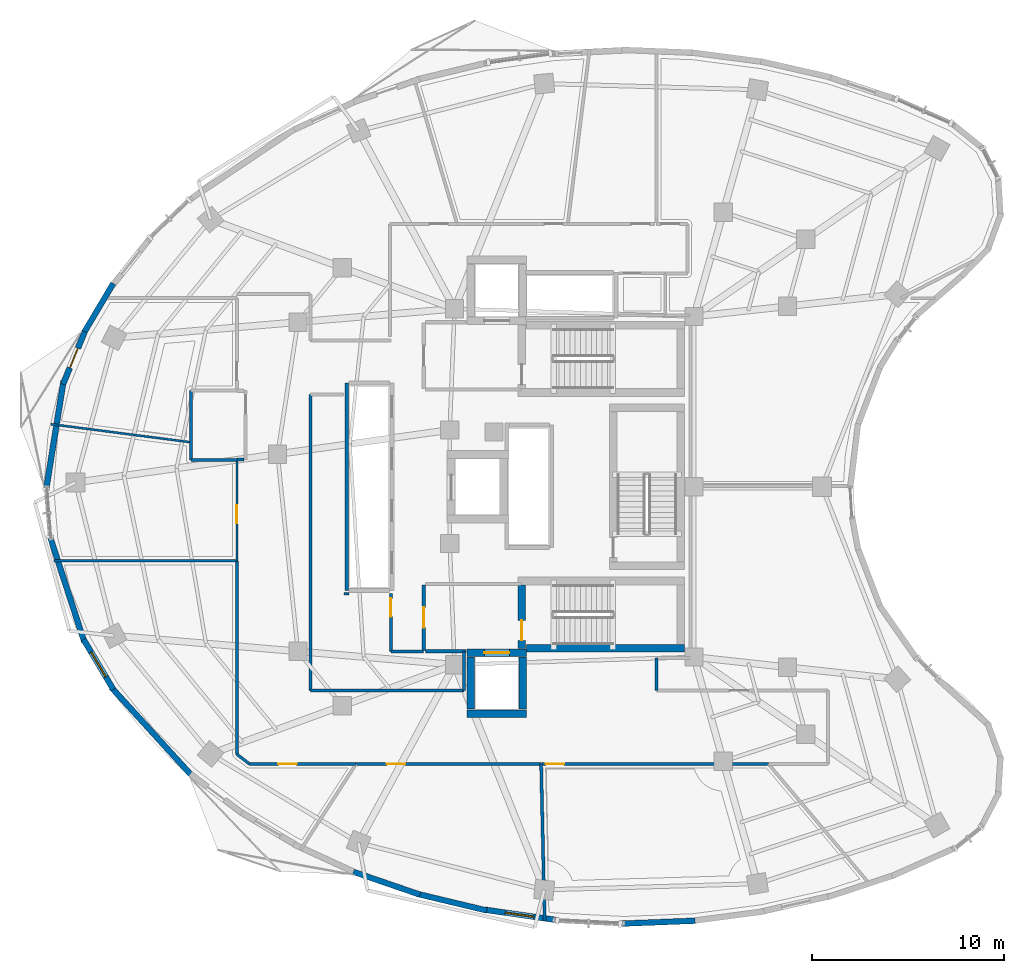
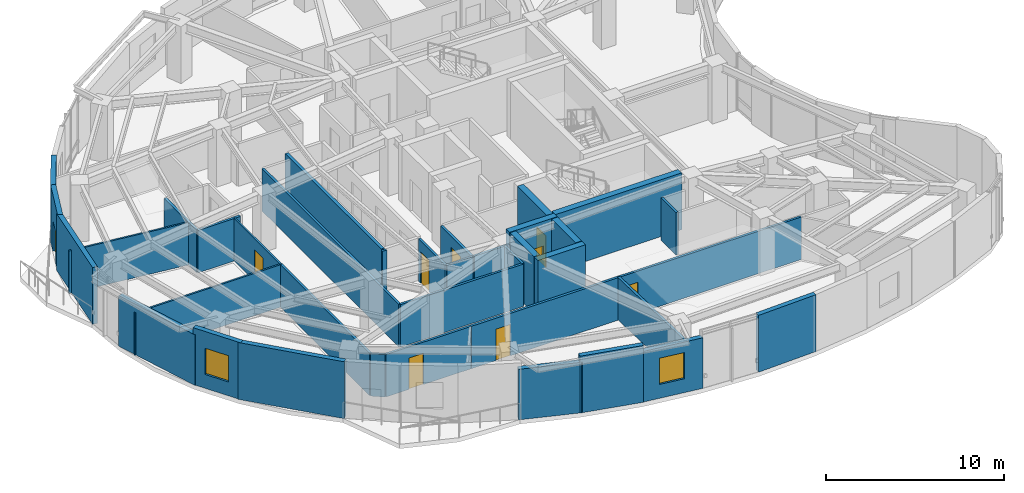
# One storey, part 8 of 15: 38 walls, 9 doors, 2 windows, 11 openings.
"""IFC4 building model written with IfcOpenShell, lengths in metres."""

from ifc_helpers import new_model, si_unit, direction, frame, frame_2d, origin, place, context, subcontext, project, spatial, rectangle, extrude, material, layer, layer_set, type_object, element, fill, save


model = new_model("IFC4")

# Units and contexts
model_context = context("Model", 3, precision=1e-05, world=origin(), true_north=direction((0.0, 1.0)))
body_context = subcontext(model_context, "Body", "Model", "MODEL_VIEW")
ifc_project = project(units=[si_unit("LENGTHUNIT", "METRE"), si_unit("AREAUNIT", "SQUARE_METRE"), si_unit("VOLUMEUNIT", "CUBIC_METRE"), si_unit("PLANEANGLEUNIT", "RADIAN"), si_unit("MASSUNIT", "GRAM", prefix="KILO")], contexts=[model_context])

# Site, building, storey
site_placement = place(None, origin())
site = spatial("IfcSite", under=ifc_project, at=site_placement, CompositionType="ELEMENT")
building_placement = place(site_placement, origin())
building = spatial("IfcBuilding", under=site, at=building_placement, Name="Korentha Bioscience Tower", CompositionType="ELEMENT")
storey_placement = place(building_placement, frame((0.0, 0.0, 222.60009765625)))
storey = spatial("IfcBuildingStorey", under=building, at=storey_placement, Name="L51", CompositionType="ELEMENT", Elevation=222.60009765625)

# Wall, opening, door
ifc_material_1 = material(Name="Double-Stud Acoustic Gypsum", Category="gypsum")
ifc_layer_1 = layer(ifc_material_1, 0.14990234375, Name="Double-Stud Acoustic Gypsum")
ifc_layer_set_1 = layer_set([ifc_layer_1], Name="Double-Stud Acoustic Gypsum (IW-L150)")
wall_type_1 = type_object("IfcWallType", Name="Acoustic Laboratory Partition Wall 150", PredefinedType="PARTITIONING", material=ifc_layer_set_1)
wall_1_placement = place(storey_placement, frame((21.7900390625, 21.43994140625, 0.0), z_axis=(0.0, 0.0, 1.0), x_axis=(0.0, -1.0, 0.0)))
wall_1 = element("IfcWall", 1, at=wall_1_placement, inside=storey, type_object=wall_type_1, Name="L51 Research Colloquium Seminar Room 02 Entrance Wall", PredefinedType="PARTITIONING", context=body_context, shape_type="SweptSolid", body=[
    extrude(rectangle(XDim=2.989990234375, YDim=0.14990234375, at=frame_2d((1.4951171875, 0.0))), origin(), (0.0, 0.0, 1.0), 2.909912109375),
])
opening_1_placement = place(wall_1_placement, frame((0.239990234375, 0.0, 0.0)))
opening_1 = element("IfcOpeningElement", 2, at=opening_1_placement, cuts=wall_1, Name="Opening ID-10R", PredefinedType="OPENING", context=body_context, shape_type="SweptSolid", body=[
    extrude(rectangle(XDim=0.949951171875, YDim=2.14990234375, at=frame_2d((0.47509765625, 1.074951171875))), frame((0.0, 0.08984375, 0.0), z_axis=(0.0, -1.0, 0.0), x_axis=(1.0, 0.0, 0.0)), (0.0, 0.0, 1.0), 0.1796875),
])
ifc_material_2 = material(Name="Phenolic Laminate Timber Core", Category="wood")
door_type_1 = type_object("IfcDoorType", Name="Laboratory Single Leaf Door 950x2150 Right", OperationType="SINGLE_SWING_RIGHT", PredefinedType="DOOR", material=ifc_material_2)
door_1_placement = place(opening_1_placement, origin())
door_1 = element("IfcDoor", 3, at=door_1_placement, inside=storey, type_object=door_type_1, Name="L51 Research Colloquium Seminar Room 02 Door", OperationType="SINGLE_SWING_RIGHT", OverallHeight=2.14990234375, OverallWidth=0.949951171875, PredefinedType="DOOR", context=body_context, shape_type="SweptSolid", body=[
    extrude(rectangle(XDim=0.949951171875, YDim=2.14990234375, at=frame_2d((0.47509765625, 1.074951171875))), frame((0.0, 0.02490234375, 0.0), z_axis=(0.0, -1.0, 0.0), x_axis=(1.0, 0.0, 0.0)), (0.0, 0.0, 1.0), 0.050048828125),
])
fill(opening_1, door_1)

wall_2_placement = place(storey_placement, frame((14.454345703125, 12.590087890625, 0.0), z_axis=(0.0, 0.0, 1.0), x_axis=(1.0, 0.0, 0.0)))
wall_2 = element("IfcWall", 4, at=wall_2_placement, inside=storey, type_object=wall_type_1, Name="L51 Staff Pantry Kitchenette 03 Entrance Wall", PredefinedType="PARTITIONING", context=body_context, shape_type="SweptSolid", body=[
    extrude(rectangle(XDim=5.526611328125, YDim=0.14990234375, at=frame_2d((2.76318359375, 0.0))), origin(), (0.0, 0.0, 1.0), 2.909912109375),
])
opening_2_placement = place(wall_2_placement, frame((1.49560546875, 0.0, 0.0)))
opening_2 = element("IfcOpeningElement", 5, at=opening_2_placement, cuts=wall_2, Name="Opening ID-10L", PredefinedType="OPENING", context=body_context, shape_type="SweptSolid", body=[
    extrude(rectangle(XDim=0.949951171875, YDim=2.14990234375, at=frame_2d((0.47509765625, 1.074951171875))), frame((0.0, 0.08984375, 0.0), z_axis=(0.0, -1.0, 0.0), x_axis=(1.0, 0.0, 0.0)), (0.0, 0.0, 1.0), 0.1796875),
])
door_type_2 = type_object("IfcDoorType", Name="Laboratory Single Leaf Door 950x2150 Left", OperationType="SINGLE_SWING_LEFT", PredefinedType="DOOR", material=ifc_material_2)
door_2_placement = place(opening_2_placement, origin())
door_2 = element("IfcDoor", 6, at=door_2_placement, inside=storey, type_object=door_type_2, Name="L51 Staff Pantry Kitchenette 03 Door", OperationType="SINGLE_SWING_LEFT", OverallHeight=2.14990234375, OverallWidth=0.949951171875, PredefinedType="DOOR", context=body_context, shape_type="SweptSolid", body=[
    extrude(rectangle(XDim=0.949951171875, YDim=2.14990234375, at=frame_2d((0.47509765625, 1.074951171875))), frame((0.0, 0.02490234375, 0.0), z_axis=(0.0, -1.0, 0.0), x_axis=(1.0, 0.0, 0.0)), (0.0, 0.0, 1.0), 0.050048828125),
])
fill(opening_2, door_2)

wall_3_placement = place(storey_placement, frame((29.611572265625, 12.590087890625, 0.0), z_axis=(0.0, 0.0, 1.0), x_axis=(1.0, 0.0, 0.0)))
wall_3 = element("IfcWall", 7, at=wall_3_placement, inside=storey, type_object=wall_type_1, Name="L51 Sterile Media Preparation Kitchen 05 Entrance Wall", PredefinedType="PARTITIONING", context=body_context, shape_type="SweptSolid", body=[
    extrude(rectangle(XDim=11.806396484375, YDim=0.14990234375, at=frame_2d((5.9033203125, 0.0))), origin(), (0.0, 0.0, 1.0), 2.909912109375),
])
opening_3_placement = place(wall_3_placement, frame((0.239990234375, 0.0, 0.0)))
opening_3 = element("IfcOpeningElement", 8, at=opening_3_placement, cuts=wall_3, Name="Opening ID-10L", PredefinedType="OPENING", context=body_context, shape_type="SweptSolid", body=[
    extrude(rectangle(XDim=0.949951171875, YDim=2.14990234375, at=frame_2d((0.47509765625, 1.074951171875))), frame((0.0, 0.08984375, 0.0), z_axis=(0.0, -1.0, 0.0), x_axis=(1.0, 0.0, 0.0)), (0.0, 0.0, 1.0), 0.1796875),
])
door_3_placement = place(opening_3_placement, origin())
door_3 = element("IfcDoor", 9, at=door_3_placement, inside=storey, type_object=door_type_2, Name="L51 Sterile Media Preparation Kitchen 05 Door", OperationType="SINGLE_SWING_LEFT", OverallHeight=2.14990234375, OverallWidth=0.949951171875, PredefinedType="DOOR", context=body_context, shape_type="SweptSolid", body=[
    extrude(rectangle(XDim=0.949951171875, YDim=2.14990234375, at=frame_2d((0.47509765625, 1.074951171875))), frame((0.0, 0.02490234375, 0.0), z_axis=(0.0, -1.0, 0.0), x_axis=(1.0, 0.0, 0.0)), (0.0, 0.0, 1.0), 0.050048828125),
])
fill(opening_3, door_3)

# Walls
wall_4_placement = place(storey_placement, frame((19.35009765625, 21.43994140625, 0.0), z_axis=(0.0, 0.0, 1.0), x_axis=(1.0, 0.0, 0.0)))
element("IfcWall", 10, at=wall_4_placement, inside=storey, type_object=wall_type_1, Name="L51 Interior Partition 023", PredefinedType="PARTITIONING", context=body_context, shape_type="SweptSolid", body=[
    extrude(rectangle(XDim=0.27001953125, YDim=0.14990234375, at=frame_2d((0.135009765625, 0.0))), origin(), (0.0, 0.0, 1.0), 2.909912109375),
])
wall_5_placement = place(storey_placement, frame((21.800048828125, 18.43994140625, 0.0), z_axis=(0.0, 0.0, 1.0), x_axis=(1.0, 0.0, 0.0)))
element("IfcWall", 11, at=wall_5_placement, inside=storey, type_object=wall_type_1, Name="L51 Interior Partition 024", PredefinedType="PARTITIONING", context=body_context, shape_type="SweptSolid", body=[
    extrude(rectangle(XDim=1.68994140625, YDim=0.14990234375, at=frame_2d((0.844970703125, 0.0))), origin(), (0.0, 0.0, 1.0), 2.909912109375),
])
wall_6_placement = place(storey_placement, frame((25.60009765625, 18.435791015625, 0.0), z_axis=(0.0, 0.0, 1.0), x_axis=(0.0, -1.0, 0.0)))
element("IfcWall", 12, at=wall_6_placement, inside=storey, type_object=wall_type_1, Name="L51 Interior Partition 025", PredefinedType="PARTITIONING", context=body_context, shape_type="SweptSolid", body=[
    extrude(rectangle(XDim=2.02587890625, YDim=0.14990234375, at=frame_2d((1.012939453125, 0.0))), origin(), (0.0, 0.0, 1.0), 2.909912109375),
])
wall_7_placement = place(storey_placement, frame((25.60009765625, 16.409912109375, 0.0), z_axis=(0.0, 0.0, 1.0), x_axis=(-1.0, 0.0, 0.0)))
element("IfcWall", 13, at=wall_7_placement, inside=storey, type_object=wall_type_1, Name="L51 Interior Partition 026", PredefinedType="PARTITIONING", context=body_context, shape_type="SweptSolid", body=[
    extrude(rectangle(XDim=7.989990234375, YDim=0.14990234375, at=frame_2d((3.9951171875, 0.0))), origin(), (0.0, 0.0, 1.0), 2.909912109375),
])
wall_8_placement = place(storey_placement, frame((17.610107421875, 16.409912109375, 0.0), z_axis=(0.0, 0.0, 1.0), x_axis=(0.0, 1.0, 0.0)))
element("IfcWall", 14, at=wall_8_placement, inside=storey, type_object=wall_type_1, Name="L51 Interior Partition 027", PredefinedType="PARTITIONING", context=body_context, shape_type="SweptSolid", body=[
    extrude(rectangle(XDim=15.380126953125, YDim=0.14990234375, at=frame_2d((7.68994140625, 0.0))), origin(), (0.0, 0.0, 1.0), 2.909912109375),
])
wall_9_placement = place(storey_placement, frame((13.7900390625, 23.14208984375, 0.0), z_axis=(0.0, 0.0, 1.0), x_axis=(0.0, -1.0, 0.0)))
element("IfcWall", 15, at=wall_9_placement, inside=storey, type_object=wall_type_1, Name="L51 Interior Partition 029", PredefinedType="PARTITIONING", context=body_context, shape_type="SweptSolid", body=[
    extrude(rectangle(XDim=10.0458984375, YDim=0.14990234375, at=frame_2d((5.02294921875, 0.0))), origin(), (0.0, 0.0, 1.0), 2.909912109375),
])
wall_10_placement = place(storey_placement, frame((13.7939453125, 13.088134765625, 0.0), z_axis=(0.0, 0.0, 1.0), x_axis=(0.796957719098, -0.604035093326, 0.0)))
element("IfcWall", 16, at=wall_10_placement, inside=storey, type_object=wall_type_1, Name="L51 Interior Partition 030", PredefinedType="PARTITIONING", context=body_context, shape_type="SweptSolid", body=[
    extrude(rectangle(XDim=0.8212890625, YDim=0.14990234375, at=frame_2d((0.41064453125, 0.0))), origin(), (0.0, 0.0, 1.0), 2.909912109375),
])
wall_11_placement = place(storey_placement, frame((35.60205078125, 16.409912109375, 0.0), z_axis=(0.0, 0.0, 1.0), x_axis=(0.0, 1.0, 0.0)))
element("IfcWall", 17, at=wall_11_placement, inside=storey, type_object=wall_type_1, Name="L51 Interior Partition 039", PredefinedType="PARTITIONING", context=body_context, shape_type="SweptSolid", body=[
    extrude(rectangle(XDim=1.68017578125, YDim=0.14990234375, at=frame_2d((0.840087890625, 0.0))), origin(), (0.0, 0.0, 1.0), 2.909912109375),
])

# Wall, opening, door
ifc_material_3 = material(Name="Fire-Rated Framed Glass", Category="glass")
ifc_layer_2 = layer(ifc_material_3, 0.110107421875, Name="Fire-Rated Framed Glass")
ifc_layer_set_2 = layer_set([ifc_layer_2], Name="Fire-Rated Framed Glass (IW-G110)")
wall_type_2 = type_object("IfcWallType", Name="Demountable Glazed Office Partition 110", PredefinedType="MOVABLE", material=ifc_layer_set_2)
wall_12_placement = place(storey_placement, frame((13.7900390625, 28.389892578125, 0.0), z_axis=(0.0, 0.0, 1.0), x_axis=(0.0, -1.0, 0.0)))
wall_12 = element("IfcWall", 18, at=wall_12_placement, inside=storey, type_object=wall_type_2, Name="L51 Principal Investigator Office 01 Entrance Wall", PredefinedType="MOVABLE", context=body_context, shape_type="SweptSolid", body=[
    extrude(rectangle(XDim=5.23779296875, YDim=0.110107421875, at=frame_2d((2.618896484375, 0.0))), origin(), (0.0, 0.0, 1.0), 2.909912109375),
])
opening_4_placement = place(wall_12_placement, frame((2.35009765625, 0.0, 0.0)))
opening_4 = element("IfcOpeningElement", 19, at=opening_4_placement, cuts=wall_12, Name="Opening ID-10L", PredefinedType="OPENING", context=body_context, shape_type="SweptSolid", body=[
    extrude(rectangle(XDim=0.949951171875, YDim=2.14990234375, at=frame_2d((0.47509765625, 1.074951171875))), frame((0.0, 0.06982421875, 0.0), z_axis=(0.0, -1.0, 0.0), x_axis=(1.0, 0.0, 0.0)), (0.0, 0.0, 1.0), 0.139892578125),
])
door_4_placement = place(opening_4_placement, origin())
door_4 = element("IfcDoor", 20, at=door_4_placement, inside=storey, type_object=door_type_2, Name="L51 Principal Investigator Office 01 Door", OperationType="SINGLE_SWING_LEFT", OverallHeight=2.14990234375, OverallWidth=0.949951171875, PredefinedType="DOOR", context=body_context, shape_type="SweptSolid", body=[
    extrude(rectangle(XDim=0.949951171875, YDim=2.14990234375, at=frame_2d((0.47509765625, 1.074951171875))), frame((0.0, 0.02490234375, 0.0), z_axis=(0.0, -1.0, 0.0), x_axis=(1.0, 0.0, 0.0)), (0.0, 0.0, 1.0), 0.050048828125),
])
fill(opening_4, door_4)

# Walls
wall_13_placement = place(storey_placement, frame((4.122802734375, 30.252685546875, 0.0), z_axis=(0.0, 0.0, 1.0), x_axis=(0.991734568624, -0.128306451111, 0.0)))
element("IfcWall", 21, at=wall_13_placement, inside=storey, type_object=wall_type_2, Name="L51 Interior Partition 021", PredefinedType="MOVABLE", context=body_context, shape_type="SweptSolid", body=[
    extrude(rectangle(XDim=7.32763671875, YDim=0.110107421875, at=frame_2d((3.663818359375, 0.0))), origin(), (0.0, 0.0, 1.0), 2.909912109375),
])
wall_14_placement = place(storey_placement, frame((13.7900390625, 23.152099609375, 0.0), z_axis=(0.0, 0.0, 1.0), x_axis=(-1.0, 0.0, 0.0)))
element("IfcWall", 22, at=wall_14_placement, inside=storey, type_object=wall_type_2, Name="L51 Interior Partition 022", PredefinedType="MOVABLE", context=body_context, shape_type="SweptSolid", body=[
    extrude(rectangle(XDim=9.516845703125, YDim=0.110107421875, at=frame_2d((4.75830078125, 0.0))), origin(), (0.0, 0.0, 1.0), 2.909912109375),
])

# Wall, opening, door
ifc_material_4 = material(Name="Gypsum-Clad Steel Stud", Category="steel")
ifc_layer_3 = layer(ifc_material_4, 0.159912109375, Name="Gypsum-Clad Steel Stud")
ifc_layer_set_3 = layer_set([ifc_layer_3], Name="Gypsum-Clad Steel Stud (IW-C160)")
wall_type_3 = type_object("IfcWallType", Name="Fire-Rated Corridor Partition Wall 160", PredefinedType="PARTITIONING", material=ifc_layer_set_3)
wall_15_placement = place(storey_placement, frame((23.5, 18.5, 0.0), z_axis=(0.0, 0.0, 1.0), x_axis=(0.0, 1.0, 0.0)))
wall_15 = element("IfcWall", 23, at=wall_15_placement, inside=storey, type_object=wall_type_3, Name="L51 FFLS-CW Rated Enclosure Wall", PredefinedType="PARTITIONING", context=body_context, shape_type="SweptSolid", body=[
    extrude(rectangle(XDim=3.39990234375, YDim=0.159912109375, at=frame_2d((1.699951171875, 0.0))), origin(), (0.0, 0.0, 1.0), 2.909912109375),
])
opening_5_placement = place(wall_15_placement, frame((1.175048828125, 0.0, 0.0)))
opening_5 = element("IfcOpeningElement", 24, at=opening_5_placement, cuts=wall_15, Name="Opening FD-90L", PredefinedType="OPENING", context=body_context, shape_type="SweptSolid", body=[
    extrude(rectangle(XDim=1.050048828125, YDim=2.14990234375, at=frame_2d((0.52490234375, 1.074951171875))), frame((0.0, 0.0947265625, 0.0), z_axis=(0.0, -1.0, 0.0), x_axis=(1.0, 0.0, 0.0)), (0.0, 0.0, 1.0), 0.189697265625),
])
ifc_material_5 = material(Name="Powder-Coated Fire-Rated Steel", Category="steel")
door_type_3 = type_object("IfcDoorType", Name="Stairwell Fire Exit Door 1050x2150 Left", OperationType="SINGLE_SWING_LEFT", PredefinedType="DOOR", material=ifc_material_5)
door_5_placement = place(opening_5_placement, origin())
door_5 = element("IfcDoor", 25, at=door_5_placement, inside=storey, type_object=door_type_3, Name="L51 South Firefighting Lobby Door", OperationType="SINGLE_SWING_LEFT", OverallHeight=2.14990234375, OverallWidth=1.050048828125, PredefinedType="DOOR", context=body_context, shape_type="SweptSolid", body=[
    extrude(rectangle(XDim=1.050048828125, YDim=2.14990234375, at=frame_2d((0.52490234375, 1.074951171875))), frame((0.0, 0.02490234375, 0.0), z_axis=(0.0, -1.0, 0.0), x_axis=(1.0, 0.0, 0.0)), (0.0, 0.0, 1.0), 0.050048828125),
])
fill(opening_5, door_5)

# Wall
wall_16_placement = place(storey_placement, frame((23.580078125, 18.449951171875, 0.0), z_axis=(0.0, 0.0, 1.0), x_axis=(1.0, 0.0, 0.0)))
element("IfcWall", 26, at=wall_16_placement, inside=storey, type_object=wall_type_3, Name="L51 Firefighting Lobby Return Wall FFLS-S", PredefinedType="PARTITIONING", context=body_context, shape_type="SweptSolid", body=[
    extrude(rectangle(XDim=2.119873046875, YDim=0.159912109375, at=frame_2d((1.06005859375, 0.0))), origin(), (0.0, 0.0, 1.0), 2.909912109375),
])

# Wall, opening, door
wall_17_placement = place(storey_placement, frame((19.990966796875, 12.590087890625, 0.0), z_axis=(0.0, 0.0, 1.0), x_axis=(1.0, 0.0, 0.0)))
wall_17 = element("IfcWall", 27, at=wall_17_placement, inside=storey, type_object=wall_type_3, Name="L51 Biospecimen Archive Store 04 Entrance Wall", PredefinedType="PARTITIONING", context=body_context, shape_type="SweptSolid", body=[
    extrude(rectangle(XDim=9.610595703125, YDim=0.159912109375, at=frame_2d((4.80517578125, 0.0))), origin(), (0.0, 0.0, 1.0), 2.909912109375),
])
opening_6_placement = place(wall_17_placement, frame((1.591064453125, 0.0, 0.0)))
opening_6 = element("IfcOpeningElement", 28, at=opening_6_placement, cuts=wall_17, Name="Opening ID-10R", PredefinedType="OPENING", context=body_context, shape_type="SweptSolid", body=[
    extrude(rectangle(XDim=0.949951171875, YDim=2.14990234375, at=frame_2d((0.47509765625, 1.074951171875))), frame((0.0, 0.0947265625, 0.0), z_axis=(0.0, -1.0, 0.0), x_axis=(1.0, 0.0, 0.0)), (0.0, 0.0, 1.0), 0.189697265625),
])
door_6_placement = place(opening_6_placement, origin())
door_6 = element("IfcDoor", 29, at=door_6_placement, inside=storey, type_object=door_type_1, Name="L51 Biospecimen Archive Store 04 Door", OperationType="SINGLE_SWING_RIGHT", OverallHeight=2.14990234375, OverallWidth=0.949951171875, PredefinedType="DOOR", context=body_context, shape_type="SweptSolid", body=[
    extrude(rectangle(XDim=0.949951171875, YDim=2.14990234375, at=frame_2d((0.47509765625, 1.074951171875))), frame((0.0, 0.02490234375, 0.0), z_axis=(0.0, -1.0, 0.0), x_axis=(1.0, 0.0, 0.0)), (0.0, 0.0, 1.0), 0.050048828125),
])
fill(opening_6, door_6)

# Walls
wall_18_placement = place(storey_placement, frame((14.156982421875, 28.409912109375, 0.0), z_axis=(0.0, 0.0, 1.0), x_axis=(-1.0, 0.0, 0.0)))
element("IfcWall", 30, at=wall_18_placement, inside=storey, type_object=wall_type_3, Name="L51 Interior Partition 017", PredefinedType="PARTITIONING", context=body_context, shape_type="SweptSolid", body=[
    extrude(rectangle(XDim=0.35693359375, YDim=0.159912109375, at=frame_2d((0.178466796875, 0.0))), origin(), (0.0, 0.0, 1.0), 2.909912109375),
])
wall_19_placement = place(storey_placement, frame((13.7900390625, 28.39990234375, 0.0), z_axis=(0.0, 0.0, 1.0), x_axis=(-1.0, 0.0, 0.0)))
element("IfcWall", 31, at=wall_19_placement, inside=storey, type_object=wall_type_3, Name="L51 Interior Partition 018", PredefinedType="PARTITIONING", context=body_context, shape_type="SweptSolid", body=[
    extrude(rectangle(XDim=2.39013671875, YDim=0.159912109375, at=frame_2d((1.195068359375, 0.0))), origin(), (0.0, 0.0, 1.0), 2.909912109375),
])
wall_20_placement = place(storey_placement, frame((11.39990234375, 28.39990234375, 0.0), z_axis=(0.0, 0.0, 1.0), x_axis=(0.0, 1.0, 0.0)))
element("IfcWall", 32, at=wall_20_placement, inside=storey, type_object=wall_type_3, Name="L51 Interior Partition 019", PredefinedType="PARTITIONING", context=body_context, shape_type="SweptSolid", body=[
    extrude(rectangle(XDim=3.60009765625, YDim=0.159912109375, at=frame_2d((1.800048828125, 0.0))), origin(), (0.0, 0.0, 1.0), 2.909912109375),
])
wall_21_placement = place(storey_placement, frame((29.6015625, 12.590087890625, 0.0), z_axis=(0.0, 0.0, 1.0), x_axis=(0.02244070068, -0.999748175769, 0.0)))
element("IfcWall", 33, at=wall_21_placement, inside=storey, type_object=wall_type_3, Name="L51 Interior Partition 032", PredefinedType="PARTITIONING", context=body_context, shape_type="SweptSolid", body=[
    extrude(rectangle(XDim=8.159423828125, YDim=0.159912109375, at=frame_2d((4.07958984375, 0.0))), origin(), (0.0, 0.0, 1.0), 2.909912109375),
])

# Wall, opening, door
ifc_material_6 = material(Name="Honed Limestone Precast Concrete C40", Category="masonry")
ifc_layer_4 = layer(ifc_material_6, 0.300048828125, Name="Honed Limestone Precast Concrete C40")
ifc_layer_set_4 = layer_set([ifc_layer_4], Name="Honed Limestone Precast Concrete C40 (EW-ST300)")
wall_type_4 = type_object("IfcWallType", Name="Honed Limestone Cavity Spandrel Wall 300", PredefinedType="STANDARD", material=ifc_layer_set_4)
wall_22_placement = place(storey_placement, frame((5.882080078125, 35.05712890625, 0.0), z_axis=(0.0, 0.0, 1.0), x_axis=(-0.381011504275, -0.924570296738, 0.0)))
wall_22 = element("IfcWall", 34, at=wall_22_placement, inside=storey, type_object=wall_type_4, Name="L51 Balcony Threshold Wall 02", PredefinedType="STANDARD", context=body_context, shape_type="SweptSolid", body=[
    extrude(rectangle(XDim=2.955810546875, YDim=0.300048828125, at=frame_2d((1.47802734375, 0.0))), origin(), (0.0, 0.0, 1.0), 3.89990234375),
])
opening_7_placement = place(wall_22_placement, frame((0.927978515625, 0.0, 0.0)))
opening_7 = element("IfcOpeningElement", 35, at=opening_7_placement, cuts=wall_22, Name="Opening BD-11R", PredefinedType="OPENING", context=body_context, shape_type="SweptSolid", body=[
    extrude(rectangle(XDim=1.10009765625, YDim=2.14990234375, at=frame_2d((0.550048828125, 1.074951171875))), frame((0.0, 0.1650390625, 0.0), z_axis=(0.0, -1.0, 0.0), x_axis=(1.0, 0.0, 0.0)), (0.0, 0.0, 1.0), 0.329833984375),
])
ifc_material_7 = material(Name="Thermally Broken Glazed Aluminium", Category="aluminium")
door_type_4 = type_object("IfcDoorType", Name="Balcony Terrace Glazed Door 1100x2150 Right", OperationType="SINGLE_SWING_RIGHT", PredefinedType="DOOR", material=ifc_material_7)
door_7_placement = place(opening_7_placement, origin())
door_7 = element("IfcDoor", 36, at=door_7_placement, inside=storey, type_object=door_type_4, Name="L51 Balcony Access Door 02", OperationType="SINGLE_SWING_RIGHT", OverallHeight=2.14990234375, OverallWidth=1.10009765625, PredefinedType="DOOR", context=body_context, shape_type="SweptSolid", body=[
    extrude(rectangle(XDim=1.10009765625, YDim=2.14990234375, at=frame_2d((0.550048828125, 1.074951171875))), frame((0.0, 0.02490234375, 0.0), z_axis=(0.0, -1.0, 0.0), x_axis=(1.0, 0.0, 0.0)), (0.0, 0.0, 1.0), 0.050048828125),
])
fill(opening_7, door_7)

# Wall, opening, window
wall_23_placement = place(storey_placement, frame((5.818115234375, 19.07080078125, 0.0), z_axis=(0.0, 0.0, 1.0), x_axis=(0.511263271049, -0.859424148879, 0.0)))
wall_23 = element("IfcWall", 37, at=wall_23_placement, inside=storey, type_object=wall_type_4, Name="L51 Honed Limestone Spandrel Wall 22", PredefinedType="STANDARD", context=body_context, shape_type="SweptSolid", body=[
    extrude(rectangle(XDim=3.03564453125, YDim=0.300048828125, at=frame_2d((1.517822265625, 0.0))), origin(), (0.0, 0.0, 1.0), 3.89990234375),
])
opening_8_placement = place(wall_23_placement, frame((0.767822265625, 0.0, 0.949951171875)))
opening_8 = element("IfcOpeningElement", 38, at=opening_8_placement, cuts=wall_23, Name="Opening WN-02", PredefinedType="OPENING", context=body_context, shape_type="SweptSolid", body=[
    extrude(rectangle(XDim=1.5, YDim=1.800048828125, at=frame_2d((0.75, 0.89990234375))), frame((0.0, 0.1650390625, 0.0), z_axis=(0.0, -1.0, 0.0), x_axis=(1.0, 0.0, 0.0)), (0.0, 0.0, 1.0), 0.329833984375),
])
ifc_material_8 = material(Name="Thermally Broken Aluminium Triple Glazing", Category="aluminium")
window_type = type_object("IfcWindowType", Name="Acoustic Operable Office Window 1500x1800", PartitioningType="DOUBLE_PANEL_VERTICAL", PredefinedType="WINDOW", material=ifc_material_8)
window_1_placement = place(opening_8_placement, origin())
window_1 = element("IfcWindow", 39, at=window_1_placement, inside=storey, type_object=window_type, Name="L51 Facade Window 22", OverallHeight=1.800048828125, OverallWidth=1.5, PartitioningType="DOUBLE_PANEL_VERTICAL", PredefinedType="WINDOW", context=body_context, shape_type="SweptSolid", body=[
    extrude(rectangle(XDim=1.5, YDim=1.800048828125, at=frame_2d((0.75, 0.89990234375))), frame((0.0, 0.030029296875, 0.0), z_axis=(0.0, -1.0, 0.0), x_axis=(1.0, 0.0, 0.0)), (0.0, 0.0, 1.0), 0.06005859375),
])
fill(opening_8, window_1)

wall_24_placement = place(storey_placement, frame((26.628173828125, 5.022216796875, 0.0), z_axis=(0.0, 0.0, 1.0), x_axis=(0.989905072127, -0.14173195891, 0.0)))
wall_24 = element("IfcWall", 40, at=wall_24_placement, inside=storey, type_object=wall_type_4, Name="L51 Honed Limestone Spandrel Wall 30", PredefinedType="STANDARD", context=body_context, shape_type="SweptSolid", body=[
    extrude(rectangle(XDim=3.741455078125, YDim=0.300048828125, at=frame_2d((1.87060546875, 0.0))), origin(), (0.0, 0.0, 1.0), 3.469970703125),
])
opening_9_placement = place(wall_24_placement, frame((1.12060546875, 0.0, 0.949951171875)))
opening_9 = element("IfcOpeningElement", 41, at=opening_9_placement, cuts=wall_24, Name="Opening WN-02", PredefinedType="OPENING", context=body_context, shape_type="SweptSolid", body=[
    extrude(rectangle(XDim=1.5, YDim=1.800048828125, at=frame_2d((0.75, 0.89990234375))), frame((0.0, 0.1650390625, 0.0), z_axis=(0.0, -1.0, 0.0), x_axis=(1.0, 0.0, 0.0)), (0.0, 0.0, 1.0), 0.329833984375),
])
window_2_placement = place(opening_9_placement, origin())
window_2 = element("IfcWindow", 42, at=window_2_placement, inside=storey, type_object=window_type, Name="L51 Facade Window 30", OverallHeight=1.800048828125, OverallWidth=1.5, PartitioningType="DOUBLE_PANEL_VERTICAL", PredefinedType="WINDOW", context=body_context, shape_type="SweptSolid", body=[
    extrude(rectangle(XDim=1.5, YDim=1.800048828125, at=frame_2d((0.75, 0.89990234375))), frame((0.0, 0.030029296875, 0.0), z_axis=(0.0, -1.0, 0.0), x_axis=(1.0, 0.0, 0.0)), (0.0, 0.0, 1.0), 0.06005859375),
])
fill(opening_9, window_2)

# Walls
wall_25_placement = place(storey_placement, frame((7.36328125, 37.5654296875, 0.0), z_axis=(0.0, 0.0, 1.0), x_axis=(-0.511305212285, -0.85939919705, 0.0)))
element("IfcWall", 43, at=wall_25_placement, inside=storey, type_object=wall_type_4, Name="L51 Limestone Perimeter Closure Wall 15", PredefinedType="STANDARD", context=body_context, shape_type="SweptSolid", body=[
    extrude(rectangle(XDim=3.075439453125, YDim=0.300048828125, at=frame_2d((1.53759765625, 0.0))), origin(), (0.0, 0.0, 1.0), 3.89990234375),
])
wall_26_placement = place(storey_placement, frame((4.78173828125, 32.497314453125, 0.0), z_axis=(0.0, 0.0, 1.0), x_axis=(-0.158573166105, -0.987347229191, 0.0)))
element("IfcWall", 44, at=wall_26_placement, inside=storey, type_object=wall_type_4, Name="L51 Limestone Perimeter Closure Wall 17", PredefinedType="STANDARD", context=body_context, shape_type="SweptSolid", body=[
    extrude(rectangle(XDim=5.67041015625, YDim=0.300048828125, at=frame_2d((2.835205078125, 0.0))), origin(), (0.0, 0.0, 1.0), 3.89990234375),
])
wall_27_placement = place(storey_placement, frame((4.08447265625, 24.37939453125, 0.0), z_axis=(0.0, 0.0, 1.0), x_axis=(0.309937285623, -0.95075700312, 0.0)))
element("IfcWall", 45, at=wall_27_placement, inside=storey, type_object=wall_type_4, Name="L51 Limestone Perimeter Closure Wall 20", PredefinedType="STANDARD", context=body_context, shape_type="SweptSolid", body=[
    extrude(rectangle(XDim=5.758056640625, YDim=0.300048828125, at=frame_2d((2.87890625, 0.0))), origin(), (0.0, 0.0, 1.0), 3.469970703125),
])
wall_28_placement = place(storey_placement, frame((7.251708984375, 16.585205078125, 0.0), z_axis=(0.0, 0.0, 1.0), x_axis=(0.673735114185, -0.73897293314, 0.0)))
element("IfcWall", 46, at=wall_28_placement, inside=storey, type_object=wall_type_4, Name="L51 Limestone Perimeter Closure Wall 23", PredefinedType="STANDARD", context=body_context, shape_type="SweptSolid", body=[
    extrude(rectangle(XDim=6.27587890625, YDim=0.300048828125, at=frame_2d((3.137939453125, 0.0))), origin(), (0.0, 0.0, 1.0), 3.89990234375),
])
wall_29_placement = place(storey_placement, frame((19.83837890625, 6.987548828125, 0.0), z_axis=(0.0, 0.0, 1.0), x_axis=(0.945722383555, -0.32497565023, 0.0)))
element("IfcWall", 47, at=wall_29_placement, inside=storey, type_object=wall_type_4, Name="L51 Limestone Perimeter Closure Wall 28", PredefinedType="STANDARD", context=body_context, shape_type="SweptSolid", body=[
    extrude(rectangle(XDim=3.669921875, YDim=0.300048828125, at=frame_2d((1.8349609375, 0.0))), origin(), (0.0, 0.0, 1.0), 3.469970703125),
])
wall_30_placement = place(storey_placement, frame((23.142578125, 5.84326171875, 0.0), z_axis=(0.0, 0.0, 1.0), x_axis=(0.972475629939, -0.233004611918, 0.0)))
element("IfcWall", 48, at=wall_30_placement, inside=storey, type_object=wall_type_4, Name="L51 Limestone Perimeter Closure Wall 29", PredefinedType="STANDARD", context=body_context, shape_type="SweptSolid", body=[
    extrude(rectangle(XDim=3.7353515625, YDim=0.300048828125, at=frame_2d((1.86767578125, 0.0))), origin(), (0.0, 0.0, 1.0), 3.89990234375),
])
wall_31_placement = place(storey_placement, frame((33.804931640625, 4.29248046875, 0.0), z_axis=(0.0, 0.0, 1.0), x_axis=(0.999221923177, 0.039440439173, 0.0)))
element("IfcWall", 49, at=wall_31_placement, inside=storey, type_object=wall_type_4, Name="L51 Limestone Perimeter Closure Wall 32", PredefinedType="STANDARD", context=body_context, shape_type="SweptSolid", body=[
    extrude(rectangle(XDim=3.806884765625, YDim=0.300048828125, at=frame_2d((1.9033203125, 0.0))), origin(), (0.0, 0.0, 1.0), 3.89990234375),
])
ifc_material_9 = material(Name="Autoclaved Aerated Concrete Block C25", Category="concrete")
ifc_layer_5 = layer(ifc_material_9, 0.199951171875, Name="Autoclaved Aerated Concrete Block C25")
ifc_layer_set_5 = layer_set([ifc_layer_5], Name="Autoclaved Aerated Concrete Block C25 (IW-S200)")
wall_type_5 = type_object("IfcWallType", Name="Lift and Riser Shaft Enclosure Wall 200", PredefinedType="PARTITIONING", material=ifc_layer_set_5)
wall_32_placement = place(storey_placement, frame((19.5, 21.60009765625, 0.0), z_axis=(0.0, 0.0, 1.0), x_axis=(0.0, 1.0, 0.0)))
element("IfcWall", 50, at=wall_32_placement, inside=storey, type_object=wall_type_5, Name="L51 Lift Bank MID Shaft Wall -X", PredefinedType="PARTITIONING", context=body_context, shape_type="SweptSolid", body=[
    extrude(rectangle(XDim=10.7998046875, YDim=0.199951171875, at=frame_2d((5.39990234375, 0.0))), origin(), (0.0, 0.0, 1.0), 2.909912109375),
])
ifc_material_10 = material(Name="Concrete C65", Category="concrete")
ifc_layer_6 = layer(ifc_material_10, 0.39990234375, Name="Concrete C65")
ifc_layer_set_6 = layer_set([ifc_layer_6], Name="Concrete C65 (CW-C65)")
wall_type_6 = type_object("IfcWallType", Name="Mid-Rise Core Shear Wall 400", PredefinedType="SHEAR", material=ifc_layer_set_6)
wall_33_placement = place(storey_placement, frame((28.85205078125, 18.60009765625, 0.0), z_axis=(0.0, 0.0, 1.0), x_axis=(1.0, 0.0, 0.0)))
element("IfcWall", 51, at=wall_33_placement, inside=storey, type_object=wall_type_6, Name="L51 Core Shear Wall ST2-S", PredefinedType="SHEAR", context=body_context, shape_type="SweptSolid", body=[
    extrude(rectangle(XDim=8.197998046875, YDim=0.39990234375, at=frame_2d((4.09912109375, 0.0))), origin(), (0.0, 0.0, 1.0), 3.89990234375),
])

# Wall, opening, door
wall_34_placement = place(storey_placement, frame((28.60009765625, 18.58203125, 0.0), z_axis=(0.0, 0.0, 1.0), x_axis=(0.0, 1.0, 0.0)))
wall_34 = element("IfcWall", 52, at=wall_34_placement, inside=storey, type_object=wall_type_6, Name="L51 Core Shear Wall ST2-W", PredefinedType="SHEAR", context=body_context, shape_type="SweptSolid", body=[
    extrude(rectangle(XDim=3.307861328125, YDim=0.39990234375, at=frame_2d((1.65380859375, 0.0))), origin(), (0.0, 0.0, 1.0), 3.89990234375),
])
opening_10_placement = place(wall_34_placement, frame((0.427978515625, 0.0, 0.0)))
opening_10 = element("IfcOpeningElement", 53, at=opening_10_placement, cuts=wall_34, Name="Opening FD-90L", PredefinedType="OPENING", context=body_context, shape_type="SweptSolid", body=[
    extrude(rectangle(XDim=1.050048828125, YDim=2.14990234375, at=frame_2d((0.52490234375, 1.074951171875))), frame((0.0, 0.21484375, 0.0), z_axis=(0.0, -1.0, 0.0), x_axis=(1.0, 0.0, 0.0)), (0.0, 0.0, 1.0), 0.4296875),
])
door_8_placement = place(opening_10_placement, origin())
door_8 = element("IfcDoor", 54, at=door_8_placement, inside=storey, type_object=door_type_3, Name="L51 ST-2 Fire Exit Stair Door", OperationType="SINGLE_SWING_LEFT", OverallHeight=2.14990234375, OverallWidth=1.050048828125, PredefinedType="DOOR", context=body_context, shape_type="SweptSolid", body=[
    extrude(rectangle(XDim=1.050048828125, YDim=2.14990234375, at=frame_2d((0.52490234375, 1.074951171875))), frame((0.0, 0.02490234375, 0.0), z_axis=(0.0, -1.0, 0.0), x_axis=(1.0, 0.0, 0.0)), (0.0, 0.0, 1.0), 0.050048828125),
])
fill(opening_10, door_8)

# Wall
wall_35_placement = place(storey_placement, frame((25.75, 15.199951171875, 0.0), z_axis=(0.0, 0.0, 1.0), x_axis=(1.0, 0.0, 0.0)))
element("IfcWall", 55, at=wall_35_placement, inside=storey, type_object=wall_type_6, Name="L51 Core Shear Wall FFL1-S", PredefinedType="SHEAR", context=body_context, shape_type="SweptSolid", body=[
    extrude(rectangle(XDim=3.10009765625, YDim=0.39990234375, at=frame_2d((1.550048828125, 0.0))), origin(), (0.0, 0.0, 1.0), 3.89990234375),
])

# Wall, opening, door
wall_36_placement = place(storey_placement, frame((25.75, 18.3798828125, 0.0), z_axis=(0.0, 0.0, 1.0), x_axis=(1.0, 0.0, 0.0)))
wall_36 = element("IfcWall", 56, at=wall_36_placement, inside=storey, type_object=wall_type_6, Name="L51 Core Shear Wall FFL1-N", PredefinedType="SHEAR", context=body_context, shape_type="SweptSolid", body=[
    extrude(rectangle(XDim=3.10009765625, YDim=0.39990234375, at=frame_2d((1.550048828125, 0.0))), origin(), (0.0, 0.0, 1.0), 3.89990234375),
])
opening_11_placement = place(wall_36_placement, frame((0.89990234375, 0.0, 0.0)))
opening_11 = element("IfcOpeningElement", 57, at=opening_11_placement, cuts=wall_36, Name="Opening LD-13", PredefinedType="OPENING", context=body_context, shape_type="SweptSolid", body=[
    extrude(rectangle(XDim=1.300048828125, YDim=2.199951171875, at=frame_2d((0.64990234375, 1.10009765625))), frame((0.0, 0.21484375, 0.0), z_axis=(0.0, -1.0, 0.0), x_axis=(1.0, 0.0, 0.0)), (0.0, 0.0, 1.0), 0.4296875),
])
ifc_material_11 = material(Name="Brushed Stainless Steel 316", Category="steel")
door_type_5 = type_object("IfcDoorType", Name="Service & Firefighting Lift Landing Door 1300x2300", OperationType="DOUBLE_DOOR_SLIDING", PredefinedType="DOOR", material=ifc_material_11)
door_9_placement = place(opening_11_placement, origin())
door_9 = element("IfcDoor", 58, at=door_9_placement, inside=storey, type_object=door_type_5, Name="L51 FFL-1 Sliding Lift Landing Door", OperationType="DOUBLE_DOOR_SLIDING", OverallHeight=2.199951171875, OverallWidth=1.300048828125, PredefinedType="DOOR", context=body_context, shape_type="SweptSolid", body=[
    extrude(rectangle(XDim=1.300048828125, YDim=2.199951171875, at=frame_2d((0.64990234375, 1.10009765625))), frame((0.0, 0.02490234375, 0.0), z_axis=(0.0, -1.0, 0.0), x_axis=(1.0, 0.0, 0.0)), (0.0, 0.0, 1.0), 0.050048828125),
])
fill(opening_11, door_9)

# Walls
for number, where, z_axis, x_axis, name in (
    (59, (25.949951171875, 15.43994140625, 0.0), (0.0, 0.0, 1.0), (0.0, 1.0, 0.0), "L51 Core Shear Wall FFL1-W"),
    (60, (28.64990234375, 15.43994140625, 0.0), (0.0, 0.0, 1.0), (0.0, 1.0, 0.0), "L51 Core Shear Wall FFL1-E"),
):
    element("IfcWall", number, at=place(storey_placement, frame(where, z_axis=z_axis, x_axis=x_axis)), inside=storey, type_object=wall_type_6, Name=name, PredefinedType="SHEAR", context=body_context, shape_type="SweptSolid", body=[
        extrude(rectangle(XDim=2.699951171875, YDim=0.39990234375, at=frame_2d((1.35009765625, 0.0))), origin(), (0.0, 0.0, 1.0), 3.89990234375),
    ])

save(model, "model.ifc")
